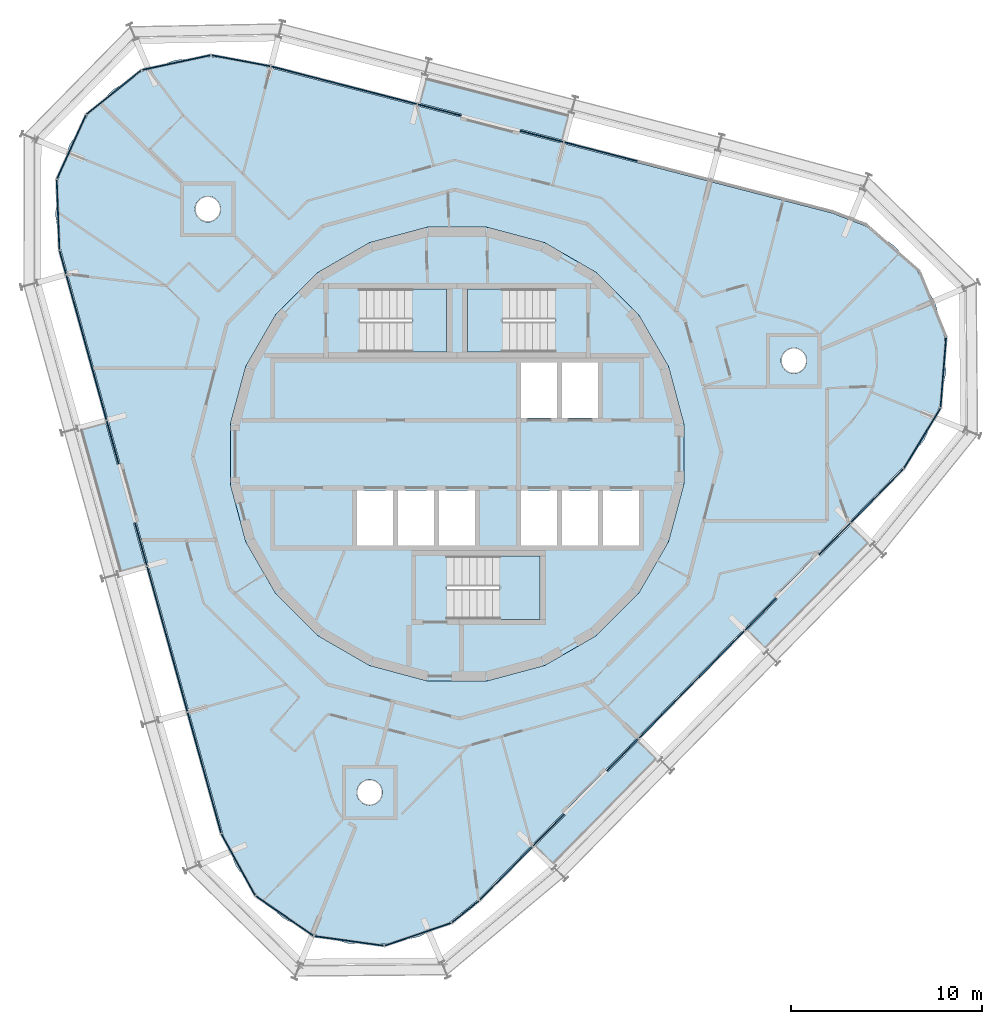
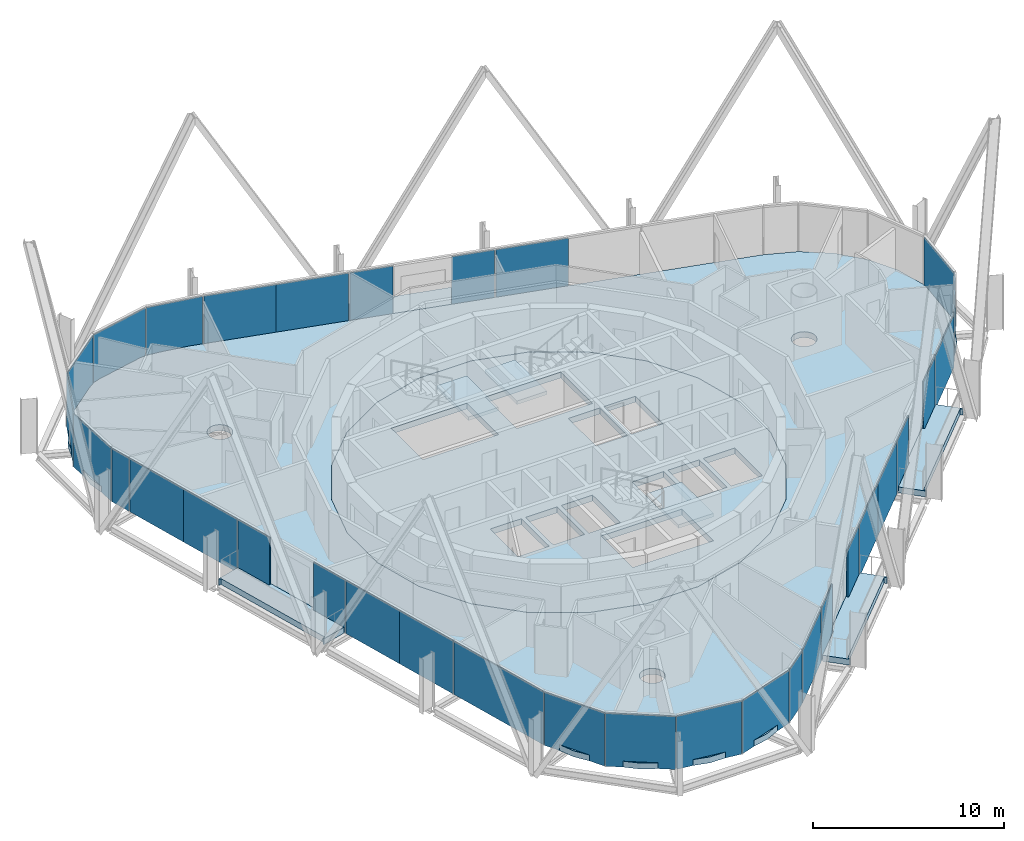
# One storey, part 8 of 15: 33 plates, 9 slabs, 9 elements without a shape of their own.
"""IFC4 building model written with IfcOpenShell, lengths in metres."""

import ifcopenshell
import ifcopenshell.guid

model = None  # the IFC model being written
_history = None  # IfcOwnerHistory: only IFC2X3 demands one
_inside = {}  # id of a spatial element -> (the spatial element, [elements in it])
_under = {}  # id of a project, library or spatial element -> (it, [spatial elements below it])
_declared = {}  # id of a project -> (the project, [libraries it declares])
_typed = {}  # id of a type object -> (the type object, [elements of that type])
_made_of = {}  # id of a material, layer set ... -> (it, [elements and type objects made of it])


def new_model(schema):
    """Start an empty IFC model of exactly this schema.

    Asked for "IFC4X3", IfcOpenShell would pick the latest addendum, in which some entities
    have other attributes; the version numbers below select the first issue.
    IFC2X3 requires an IfcOwnerHistory on every rooted entity: one is made here for all.
    """
    global model, _history
    if schema == "IFC4X3":
        model = ifcopenshell.file(schema_version=(4, 3, 0, 0))
    else:
        model = ifcopenshell.file(schema=schema)
    _inside.clear()
    _under.clear()
    _declared.clear()
    _typed.clear()
    _made_of.clear()
    _history = None
    if model.schema == "IFC2X3":
        org = make("IfcOrganization", Name="unknown")
        user = make(
            "IfcPersonAndOrganization",
            ThePerson=make("IfcPerson", FamilyName="unknown"),
            TheOrganization=org,
        )
        app = make(
            "IfcApplication",
            ApplicationDeveloper=org,
            Version="unknown",
            ApplicationFullName="unknown",
            ApplicationIdentifier="unknown",
        )
        _history = make(
            "IfcOwnerHistory",
            OwningUser=user,
            OwningApplication=app,
            ChangeAction="ADDED",
            CreationDate=0,
        )
    return model


def make(cls, **values):
    """One entity of the class cls with the attributes given. An attribute that is None is left unset."""
    return model.create_entity(
        cls, **{name: value for name, value in values.items() if value is not None}
    )


def rooted(cls, **values):
    """An entity with a GlobalId (a new one), such as an element, a storey or a relation."""
    return make(cls, GlobalId=ifcopenshell.guid.new(), OwnerHistory=_history, **values)


def si_unit(unit_type, name, prefix=None):
    """IfcSIUnit, for example si_unit("LENGTHUNIT", "METRE", prefix="MILLI")."""
    return make("IfcSIUnit", UnitType=unit_type, Prefix=prefix, Name=name)


def assignment(units):
    """IfcUnitAssignment: the units of a project."""
    return None if units is None else make("IfcUnitAssignment", Units=units)


def point(xyz):
    """IfcCartesianPoint."""
    return None if xyz is None else make("IfcCartesianPoint", Coordinates=xyz)


def direction(xyz):
    """IfcDirection."""
    return None if xyz is None else make("IfcDirection", DirectionRatios=xyz)


def frame(location, z_axis=None, x_axis=None):
    """IfcAxis2Placement3D, a coordinate frame: its origin and axes. An axis left out is left unset."""
    return make(
        "IfcAxis2Placement3D",
        Location=point(location),
        Axis=direction(z_axis),
        RefDirection=direction(x_axis),
    )


def frame_2d(location, x_axis=None):
    """IfcAxis2Placement2D, a coordinate frame in the plane: its origin and x axis."""
    return make(
        "IfcAxis2Placement2D", Location=point(location), RefDirection=direction(x_axis)
    )


def origin():
    """The frame at (0, 0, 0) with its axes left unset."""
    return frame((0.0, 0.0, 0.0))


def origin_2d():
    """The frame at (0, 0) in the plane with its x axis left unset."""
    return frame_2d((0.0, 0.0))


def place(relative_to, where):
    """IfcLocalPlacement: puts the frame where relative to a parent placement (None: the world)."""
    return make(
        "IfcLocalPlacement", PlacementRelTo=relative_to, RelativePlacement=where
    )


def context(
    kind, dimensions, precision=None, world=None, true_north=None, identifier=None
):
    """IfcGeometricRepresentationContext, for example the 3D "Model" context."""
    return make(
        "IfcGeometricRepresentationContext",
        ContextIdentifier=identifier,
        ContextType=kind,
        CoordinateSpaceDimension=dimensions,
        Precision=precision,
        WorldCoordinateSystem=world,
        TrueNorth=true_north,
    )


def subcontext(parent, identifier, kind, view, scale=None):
    """IfcGeometricRepresentationSubContext, for example "Body" below "Model"."""
    return make(
        "IfcGeometricRepresentationSubContext",
        ContextIdentifier=identifier,
        ContextType=kind,
        ParentContext=parent,
        TargetScale=scale,
        TargetView=view,
    )


def project(units=None, contexts=None):
    """IfcProject with its units and contexts."""
    return rooted(
        "IfcProject",
        Name="project",
        RepresentationContexts=contexts,
        UnitsInContext=assignment(units),
    )


def spatial(cls, under=None, at=None, **own):
    """A site, building, storey or space (cls), placed at a placement, below another one or the project."""
    s = rooted(cls, ObjectPlacement=at, **own)
    if under is not None:
        _under.setdefault(under.id(), (under, []))[1].append(s)
    return s


def polyline(points):
    """IfcPolyline through the points."""
    return make("IfcPolyline", Points=[point(p) for p in points])


def profile(cls, at=None, kind="AREA", **sizes):
    """A parametric profile (cls). Its sizes go by their IFC names, for example OverallWidth=200.0."""
    return make(cls, ProfileType=kind, Position=at, **sizes)


def rectangle(**sizes):
    """IfcRectangleProfileDef."""
    return profile("IfcRectangleProfileDef", **sizes)


def outline(outer, holes=None, kind="AREA"):
    """IfcArbitraryClosedProfileDef: a profile drawn as a closed curve; with holes, ...WithVoids."""
    if holes is None:
        return make("IfcArbitraryClosedProfileDef", ProfileType=kind, OuterCurve=outer)
    return make(
        "IfcArbitraryProfileDefWithVoids",
        ProfileType=kind,
        OuterCurve=outer,
        InnerCurves=holes,
    )


def extrude(swept, where, along, depth):
    """IfcExtrudedAreaSolid: the profile swept, set in the frame where, extruded along a direction by depth."""
    return make(
        "IfcExtrudedAreaSolid",
        SweptArea=swept,
        Position=where,
        ExtrudedDirection=direction(along),
        Depth=depth,
    )


def shape(context_of_items, identifier, shape_type, items):
    """IfcShapeRepresentation: the items that make up one representation, for example the "Body"."""
    return make(
        "IfcShapeRepresentation",
        ContextOfItems=context_of_items,
        RepresentationIdentifier=identifier,
        RepresentationType=shape_type,
        Items=items,
    )


def material(Name=None, Category=None):
    """IfcMaterial."""
    return make("IfcMaterial", Name=Name, Category=Category)


def layer(
    of_material, thickness, ventilated=None, Name=None, Category=None, Priority=None
):
    """IfcMaterialLayer: one layer of a wall or slab, of a material (None: an air gap)."""
    return make(
        "IfcMaterialLayer",
        Material=of_material,
        LayerThickness=thickness,
        IsVentilated=ventilated,
        Name=Name,
        Category=Category,
        Priority=Priority,
    )


def layer_set(layers, Name=None):
    """IfcMaterialLayerSet."""
    return make("IfcMaterialLayerSet", MaterialLayers=layers, LayerSetName=Name)


def made_of(thing, what):
    """Note that an element or type object is made of a material, layer set ...; save() writes the relation."""
    if what is not None:
        _made_of.setdefault(what.id(), (what, []))[1].append(thing)
    return thing


def type_object(cls, material=None, **own):
    """A type object (cls), such as IfcWallType, which elements share."""
    return made_of(rooted(cls, **own), material)


def element(
    cls,
    number,
    at=None,
    inside=None,
    cuts=None,
    type_object=None,
    material=None,
    context=None,
    identifier="Body",
    shape_type=None,
    held_by="IfcProductDefinitionShape",
    body=None,
    shapes=None,
    **own,
):
    """One element of the class cls, such as IfcWall. Its Tag is "e" and its number.

    at: its placement. inside: the storey or other place that contains it. cuts: it is an
    opening in that element (IfcRelVoidsElement). A single representation is given by context,
    identifier, shape_type and body (its items); several are given by shapes. held_by: the class
    of the entity that holds the representations. save() writes the other relations.
    """
    e = rooted(cls, Tag="e%d" % number, ObjectPlacement=at, **own)
    if body is not None:
        shapes = [shape(context, identifier, shape_type, body)]
    if shapes is not None:
        e.Representation = make(held_by, Representations=shapes)
    if inside is not None:
        _inside.setdefault(inside.id(), (inside, []))[1].append(e)
    if cuts is not None:
        rooted(
            "IfcRelVoidsElement", RelatingBuildingElement=cuts, RelatedOpeningElement=e
        )
    if type_object is not None:
        _typed.setdefault(type_object.id(), (type_object, []))[1].append(e)
    return made_of(e, material)


def aggregate(whole, parts):
    """IfcRelAggregates: a whole, such as a stair, and the parts it consists of."""
    return rooted("IfcRelAggregates", RelatingObject=whole, RelatedObjects=parts)


def save(model, path):
    """Write the relations noted so far, then the file.

    IfcRelAggregates (storeys below a building ...), IfcRelContainedInSpatialStructure (elements
    in a storey), IfcRelDefinesByType, IfcRelAssociatesMaterial and IfcRelDeclares: one each for
    every whole, place, type object, material and project.
    """
    for whole, parts in _under.values():
        aggregate(whole, parts)
    for where, things in _inside.values():
        rooted(
            "IfcRelContainedInSpatialStructure",
            RelatedElements=things,
            RelatingStructure=where,
        )
    for kind, things in _typed.values():
        rooted("IfcRelDefinesByType", RelatedObjects=things, RelatingType=kind)
    for what, things in _made_of.values():
        rooted("IfcRelAssociatesMaterial", RelatedObjects=things, RelatingMaterial=what)
    for by, libraries in _declared.values():
        rooted("IfcRelDeclares", RelatingContext=by, RelatedDefinitions=libraries)
    model.write(path)


model = new_model("IFC4")

# Units and contexts
model_context = context("Model", 3, precision=1e-05, world=origin(), true_north=direction((0.0, 1.0)))
body_context = subcontext(model_context, "Body", "Model", "MODEL_VIEW")
ifc_project = project(units=[si_unit("LENGTHUNIT", "METRE"), si_unit("AREAUNIT", "SQUARE_METRE"), si_unit("VOLUMEUNIT", "CUBIC_METRE"), si_unit("PLANEANGLEUNIT", "RADIAN"), si_unit("MASSUNIT", "GRAM", prefix="KILO")], contexts=[model_context])

# Site, building, storey
site_placement = place(None, origin())
site = spatial("IfcSite", under=ifc_project, at=site_placement, CompositionType="ELEMENT")
building_placement = place(site_placement, origin())
building = spatial("IfcBuilding", under=site, at=building_placement, Name="Spindle Arch Residences", CompositionType="ELEMENT")
storey_placement = place(building_placement, frame((0.0, 0.0, 312.199951171875)))
storey = spatial("IfcBuildingStorey", under=building, at=storey_placement, Name="L80", CompositionType="ELEMENT", Elevation=312.199951171875)

# Slabs
ifc_material_1 = material(Name="Concrete C40/50", Category="concrete")
ifc_layer_1 = layer(ifc_material_1, 0.3798828125)
ifc_layer_set_1 = layer_set([ifc_layer_1], Name="Balcony slab 380")
slab_type_1 = type_object("IfcSlabType", Name="Balcony slab 380", PredefinedType="FLOOR", material=ifc_layer_set_1)
slab_1_placement = place(storey_placement, frame((0.0, 0.0, -0.3798828125)))
element("IfcSlab", 1, at=slab_1_placement, inside=storey, type_object=slab_type_1, Name="Balcony L80 bay 1", PredefinedType="FLOOR", context=body_context, shape_type="SweptSolid", body=[
    extrude(outline(polyline([(16.2529296875, -10.303955078125), (16.3056640625, -10.25048828125), (16.198486328125, -10.145263671875), (21.550048828125, -4.69970703125), (21.656982421875, -4.8046875), (21.709716796875, -4.751220703125), (20.64697265625, -3.70703125), (19.0400390625, -5.342041015625), (18.926025390625, -5.22998046875), (16.68310546875, -7.512451171875), (16.797119140625, -7.62451171875), (15.190185546875, -9.259521484375), (16.2529296875, -10.303955078125)])), origin(), (0.0, 0.0, 1.0), 0.3798828125),
])
slab_2_placement = place(storey_placement, frame((0.0, 0.0, -0.3798828125)))
element("IfcSlab", 2, at=slab_2_placement, inside=storey, type_object=slab_type_1, Name="Balcony L80 bay 7", PredefinedType="FLOOR", context=body_context, shape_type="SweptSolid", body=[
    extrude(outline(polyline([(5.918701171875, 17.903076171875), (5.845947265625, 17.921875), (5.808349609375, 17.776611328125), (-1.58349609375, 19.688232421875), (-1.5458984375, 19.83349609375), (-1.618408203125, 19.852294921875), (-1.99169921875, 18.40966796875), (0.22802734375, 17.835693359375), (0.187744140625, 17.6806640625), (3.285888671875, 16.879638671875), (3.325927734375, 17.034423828125), (5.54541015625, 16.46044921875), (5.918701171875, 17.903076171875)])), origin(), (0.0, 0.0, 1.0), 0.3798828125),
])
slab_3_placement = place(storey_placement, frame((0.0, 0.0, -0.3798828125)))
element("IfcSlab", 3, at=slab_3_placement, inside=storey, type_object=slab_type_1, Name="Balcony L80 bay 13", PredefinedType="FLOOR", context=body_context, shape_type="SweptSolid", body=[
    extrude(outline(polyline([(-19.87744140625, 1.271728515625), (-19.857421875, 1.199462890625), (-19.712890625, 1.23974609375), (-17.67236328125, -6.11767578125), (-17.81689453125, -6.157958984375), (-17.796875, -6.230224609375), (-16.361083984375, -5.83203125), (-16.973876953125, -3.622802734375), (-16.819580078125, -3.580078125), (-17.6748046875, -0.496337890625), (-17.828857421875, -0.5390625), (-18.441650390625, 1.669921875), (-19.87744140625, 1.271728515625)])), origin(), (0.0, 0.0, 1.0), 0.3798828125),
])
slab_4_placement = place(storey_placement, frame((0.0, 0.0, -0.3798828125)))
element("IfcSlab", 4, at=slab_4_placement, inside=storey, type_object=slab_type_1, Name="Balcony L80 bay 19", PredefinedType="FLOOR", context=body_context, shape_type="SweptSolid", body=[
    extrude(outline(polyline([(5.12939453125, -21.623291015625), (5.18212890625, -21.56982421875), (5.074951171875, -21.46484375), (10.426513671875, -16.01904296875), (10.533447265625, -16.124267578125), (10.586181640625, -16.07080078125), (9.5234375, -15.0263671875), (7.91650390625, -16.661376953125), (7.80224609375, -16.54931640625), (5.559326171875, -18.831787109375), (5.673583984375, -18.94384765625), (4.066650390625, -20.5791015625), (5.12939453125, -21.623291015625)])), origin(), (0.0, 0.0, 1.0), 0.3798828125),
])
ifc_material_2 = material(Name="Concrete C50/60", Category="concrete")
ifc_layer_2 = layer(ifc_material_2, 0.3798828125)
ifc_layer_set_2 = layer_set([ifc_layer_2], Name="Core floor slab 380")
slab_type_2 = type_object("IfcSlabType", Name="Core floor slab 380", PredefinedType="FLOOR", material=ifc_layer_set_2)
slab_5_placement = place(storey_placement, frame((0.0, 0.0, -0.3798828125)))
element("IfcSlab", 5, at=slab_5_placement, inside=storey, type_object=slab_type_2, Name="Core floor L80", PredefinedType="FLOOR", context=body_context, shape_type="SweptSolid", body=[
    extrude(outline(polyline([(1.56640625, -11.897216796875), (4.59228515625, -11.086669921875), (7.30517578125, -9.520263671875), (9.520263671875, -7.30517578125), (11.086669921875, -4.59228515625), (11.897216796875, -1.56640625), (11.897216796875, 1.56640625), (11.086669921875, 4.59228515625), (9.520263671875, 7.30517578125), (7.30517578125, 9.520263671875), (4.59228515625, 11.086669921875), (1.56640625, 11.897216796875), (-1.56640625, 11.897216796875), (-4.59228515625, 11.086669921875), (-7.30517578125, 9.520263671875), (-9.520263671875, 7.30517578125), (-11.086669921875, 4.59228515625), (-11.897216796875, 1.56640625), (-11.897216796875, -1.56640625), (-11.086669921875, -4.59228515625), (-9.520263671875, -7.30517578125), (-7.30517578125, -9.520263671875), (-4.59228515625, -11.086669921875), (-1.56640625, -11.897216796875), (1.56640625, -11.897216796875)]), holes=[polyline([(3.35009765625, 1.89990234375), (5.25, 1.89990234375), (5.25, 4.800048828125), (3.35009765625, 4.800048828125), (3.35009765625, 1.89990234375)]), polyline([(5.5, 1.89990234375), (7.39990234375, 1.89990234375), (7.39990234375, 4.800048828125), (5.5, 4.800048828125), (5.5, 1.89990234375)]), polyline([(-5.25, -4.800048828125), (-3.35009765625, -4.800048828125), (-3.35009765625, -1.89990234375), (-5.25, -1.89990234375), (-5.25, -4.800048828125)]), polyline([(-3.10009765625, -4.800048828125), (-1.199951171875, -4.800048828125), (-1.199951171875, -1.89990234375), (-3.10009765625, -1.89990234375), (-3.10009765625, -4.800048828125)]), polyline([(-0.949951171875, -4.800048828125), (0.949951171875, -4.800048828125), (0.949951171875, -1.89990234375), (-0.949951171875, -1.89990234375), (-0.949951171875, -4.800048828125)]), polyline([(3.35009765625, -4.800048828125), (5.25, -4.800048828125), (5.25, -1.89990234375), (3.35009765625, -1.89990234375), (3.35009765625, -4.800048828125)]), polyline([(5.5, -4.800048828125), (7.39990234375, -4.800048828125), (7.39990234375, -1.89990234375), (5.5, -1.89990234375), (5.5, -4.800048828125)]), polyline([(7.64990234375, -4.800048828125), (9.550048828125, -4.800048828125), (9.550048828125, -1.89990234375), (7.64990234375, -1.89990234375), (7.64990234375, -4.800048828125)]), polyline([(5.1298828125, 8.669921875), (0.550048828125, 8.669921875), (0.550048828125, 5.35009765625), (5.1298828125, 5.35009765625), (5.1298828125, 8.669921875)]), polyline([(-5.1298828125, 5.35009765625), (-0.550048828125, 5.35009765625), (-0.550048828125, 8.669921875), (-5.1298828125, 8.669921875), (-5.1298828125, 5.35009765625)]), polyline([(-0.530029296875, -8.669921875), (4.35009765625, -8.669921875), (4.35009765625, -5.35009765625), (-0.530029296875, -5.35009765625), (-0.530029296875, -8.669921875)])]), origin(), (0.0, 0.0, 1.0), 0.3798828125),
])

# Stair, slab
ifc_material_3 = material(Name="Concrete C50/60", Category="concrete")
stair_type = type_object("IfcStairType", Name="Exit stair 16 risers", PredefinedType="HALF_TURN_STAIR", material=ifc_material_3)
stair_1_placement = place(storey_placement, origin())
stair_1 = element("IfcStair", 6, at=stair_1_placement, inside=storey, type_object=stair_type, Name="L80 Exit stair ST1", PredefinedType="HALF_TURN_STAIR")
ifc_material_4 = material(Name="Concrete C50/60", Category="concrete")
ifc_layer_3 = layer(ifc_material_4, 0.219970703125)
ifc_layer_set_3 = layer_set([ifc_layer_3], Name="Exit stair landing 220")
slab_type_3 = type_object("IfcSlabType", Name="Exit stair landing 220", PredefinedType="LANDING", material=ifc_layer_set_3)
slab_6_placement = place(storey_placement, frame((0.0, 0.0, 1.530029296875)))
slab_6 = element("IfcSlab", 7, at=slab_6_placement, type_object=slab_type_3, Name="ST1 landing 1", PredefinedType="LANDING", context=body_context, shape_type="SweptSolid", body=[
    extrude(outline(polyline([(2.3701171875, 8.669921875), (0.550048828125, 8.669921875), (0.550048828125, 5.35009765625), (2.3701171875, 5.35009765625), (2.3701171875, 8.669921875)])), origin(), (0.0, 0.0, 1.0), 0.219970703125),
])
aggregate(stair_1, [slab_6])

stair_2_placement = place(storey_placement, origin())
stair_2 = element("IfcStair", 8, at=stair_2_placement, inside=storey, type_object=stair_type, Name="L80 Exit stair ST2", PredefinedType="HALF_TURN_STAIR")
slab_7_placement = place(storey_placement, frame((0.0, 0.0, 1.530029296875)))
slab_7 = element("IfcSlab", 9, at=slab_7_placement, type_object=slab_type_3, Name="ST2 landing 1", PredefinedType="LANDING", context=body_context, shape_type="SweptSolid", body=[
    extrude(outline(polyline([(-2.3701171875, 5.35009765625), (-0.550048828125, 5.35009765625), (-0.550048828125, 8.669921875), (-2.3701171875, 8.669921875), (-2.3701171875, 5.35009765625)])), origin(), (0.0, 0.0, 1.0), 0.219970703125),
])
aggregate(stair_2, [slab_7])

stair_3_placement = place(storey_placement, origin())
stair_3 = element("IfcStair", 10, at=stair_3_placement, inside=storey, type_object=stair_type, Name="L80 Exit stair ST3", PredefinedType="HALF_TURN_STAIR")
slab_8_placement = place(storey_placement, frame((0.0, 0.0, 1.530029296875)))
slab_8 = element("IfcSlab", 11, at=slab_8_placement, type_object=slab_type_3, Name="ST3 landing 1", PredefinedType="LANDING", context=body_context, shape_type="SweptSolid", body=[
    extrude(outline(polyline([(2.22998046875, -8.669921875), (4.35009765625, -8.669921875), (4.35009765625, -5.35009765625), (2.22998046875, -5.35009765625), (2.22998046875, -8.669921875)])), origin(), (0.0, 0.0, 1.0), 0.219970703125),
])
aggregate(stair_3, [slab_8])

# Slab
ifc_material_5 = material(Name="Concrete C40/50", Category="concrete")
ifc_layer_4 = layer(ifc_material_5, 0.3798828125)
ifc_layer_set_4 = layer_set([ifc_layer_4], Name="Floor slab 380")
slab_type_4 = type_object("IfcSlabType", Name="Floor slab 380", PredefinedType="FLOOR", material=ifc_layer_set_4)
slab_9_placement = place(storey_placement, frame((0.0, 0.0, -0.3798828125)))
element("IfcSlab", 12, at=slab_9_placement, inside=storey, type_object=slab_type_4, Name="Floor slab L80", PredefinedType="FLOOR", context=body_context, shape_type="SweptSolid", body=[
    extrude(outline(polyline([(-0.330078125, -24.517333984375), (-2.006591796875, -25.317138671875), (-3.822509765625, -25.70849609375), (-5.6796875, -25.6708984375), (-7.477783203125, -25.205810546875), (-9.12060546875, -24.33837890625), (-10.518798828125, -23.11572265625), (-11.597412109375, -21.603515625), (-12.29833984375, -19.88330078125), (-20.782470703125, 10.709228515625), (-21.067626953125, 12.544677734375), (-20.921875, 14.396484375), (-20.35302734375, 16.164794921875), (-19.3916015625, 17.754150390625), (-18.08984375, 19.078857421875), (-16.517333984375, 20.06787109375), (-14.759521484375, 20.66748046875), (-12.910400390625, 20.845458984375), (-11.0703125, 20.59228515625), (19.665771484375, 12.6435546875), (21.397705078125, 11.972900390625), (22.9287109375, 10.920654296875), (24.175537109375, 9.5439453125), (25.0712890625, 7.916748046875), (25.567626953125, 6.126708984375), (25.637939453125, 4.2705078125), (25.2783203125, 2.4482421875), (24.5078125, 0.758056640625), (23.36865234375, -0.708984375), (12.24267578125, -12.03076171875), (1.11669921875, -23.352783203125), (-0.330078125, -24.517333984375)]), holes=[polyline([(7.30517578125, -9.520263671875), (9.520263671875, -7.30517578125), (11.086669921875, -4.59228515625), (11.897216796875, -1.56640625), (11.897216796875, 1.56640625), (11.086669921875, 4.59228515625), (9.520263671875, 7.30517578125), (7.30517578125, 9.520263671875), (4.59228515625, 11.086669921875), (1.56640625, 11.897216796875), (-1.56640625, 11.897216796875), (-4.59228515625, 11.086669921875), (-7.30517578125, 9.520263671875), (-9.520263671875, 7.30517578125), (-11.086669921875, 4.59228515625), (-11.897216796875, 1.56640625), (-11.897216796875, -1.56640625), (-11.086669921875, -4.59228515625), (-9.520263671875, -7.30517578125), (-7.30517578125, -9.520263671875), (-4.59228515625, -11.086669921875), (-1.56640625, -11.897216796875), (1.56640625, -11.897216796875), (4.59228515625, -11.086669921875), (7.30517578125, -9.520263671875)]), polyline([(-4.028076171875, -18.120361328125), (-3.9658203125, -18.003662109375), (-3.92724609375, -17.877197265625), (-3.914306640625, -17.745361328125), (-3.92724609375, -17.61376953125), (-3.9658203125, -17.487060546875), (-4.028076171875, -17.370361328125), (-4.112060546875, -17.26806640625), (-4.21435546875, -17.18408203125), (-4.3310546875, -17.121826171875), (-4.45751953125, -17.08349609375), (-4.58935546875, -17.0703125), (-4.720947265625, -17.08349609375), (-4.84765625, -17.121826171875), (-4.96435546875, -17.18408203125), (-5.066650390625, -17.26806640625), (-5.150390625, -17.370361328125), (-5.212890625, -17.487060546875), (-5.251220703125, -17.61376953125), (-5.264404296875, -17.745361328125), (-5.251220703125, -17.877197265625), (-5.212890625, -18.003662109375), (-5.150390625, -18.120361328125), (-5.066650390625, -18.22265625), (-4.96435546875, -18.306640625), (-4.84765625, -18.368896484375), (-4.720947265625, -18.407470703125), (-4.58935546875, -18.42041015625), (-4.45751953125, -18.407470703125), (-4.3310546875, -18.368896484375), (-4.21435546875, -18.306640625), (-4.112060546875, -18.22265625), (-4.028076171875, -18.120361328125)]), polyline([(-12.595947265625, 12.369873046875), (-12.51220703125, 12.47216796875), (-12.44970703125, 12.5888671875), (-12.411376953125, 12.71533203125), (-12.398193359375, 12.84716796875), (-12.411376953125, 12.978759765625), (-12.44970703125, 13.10546875), (-12.51220703125, 13.22216796875), (-12.595947265625, 13.324462890625), (-12.6982421875, 13.408203125), (-12.81494140625, 13.470703125), (-12.941650390625, 13.509033203125), (-13.0732421875, 13.522216796875), (-13.205078125, 13.509033203125), (-13.33154296875, 13.470703125), (-13.4482421875, 13.408203125), (-13.550537109375, 13.324462890625), (-13.634521484375, 13.22216796875), (-13.697021484375, 13.10546875), (-13.7353515625, 12.978759765625), (-13.748291015625, 12.84716796875), (-13.7353515625, 12.71533203125), (-13.697021484375, 12.5888671875), (-13.634521484375, 12.47216796875), (-13.550537109375, 12.369873046875), (-13.4482421875, 12.285888671875), (-13.33154296875, 12.223388671875), (-13.205078125, 12.18505859375), (-13.0732421875, 12.172119140625), (-12.941650390625, 12.18505859375), (-12.81494140625, 12.223388671875), (-12.6982421875, 12.285888671875), (-12.595947265625, 12.369873046875)]), polyline([(18.139892578125, 4.4208984375), (18.223876953125, 4.523193359375), (18.2861328125, 4.639892578125), (18.32470703125, 4.7666015625), (18.337646484375, 4.898193359375), (18.32470703125, 5.030029296875), (18.2861328125, 5.156494140625), (18.223876953125, 5.273193359375), (18.139892578125, 5.37548828125), (18.03759765625, 5.45947265625), (17.9208984375, 5.52197265625), (17.794189453125, 5.560302734375), (17.66259765625, 5.5732421875), (17.531005859375, 5.560302734375), (17.404296875, 5.52197265625), (17.28759765625, 5.45947265625), (17.185302734375, 5.37548828125), (17.101318359375, 5.273193359375), (17.0390625, 5.156494140625), (17.00048828125, 5.030029296875), (16.987548828125, 4.898193359375), (17.00048828125, 4.7666015625), (17.0390625, 4.639892578125), (17.101318359375, 4.523193359375), (17.185302734375, 4.4208984375), (17.28759765625, 4.337158203125), (17.404296875, 4.274658203125), (17.531005859375, 4.236328125), (17.66259765625, 4.223388671875), (17.794189453125, 4.236328125), (17.9208984375, 4.274658203125), (18.03759765625, 4.337158203125), (18.139892578125, 4.4208984375)])]), origin(), (0.0, 0.0, 1.0), 0.3798828125),
])

# Curtain wall, plates
ifc_material_6 = material(Name="Aluminium bronze unitised frame with tinted glass", Category="aluminium")
ifc_layer_5 = layer(ifc_material_6, 0.159912109375)
ifc_layer_set_5 = layer_set([ifc_layer_5], Name="CW-D corner wall on the fillet arcs")
curtain_wall_type_1 = type_object("IfcCurtainWallType", Name="CW-D corner wall on the fillet arcs", PredefinedType="NOTDEFINED", material=ifc_layer_set_5)
curtain_wall_1_placement = place(storey_placement, origin())
curtain_wall_1 = element("IfcCurtainWall", 13, at=curtain_wall_1_placement, inside=storey, type_object=curtain_wall_type_1, Name="CW-D L80 run 1", PredefinedType="NOTDEFINED")
ifc_material_7 = material(Name="Tinted double glazing over aluminium faced non-combustible spandrel zone (K0)", Category="aluminium")
ifc_layer_6 = layer(ifc_material_7, 0.06005859375)
ifc_layer_set_6 = layer_set([ifc_layer_6], Name="Unitised glass panel with E 60 spandrel zone")
plate_type = type_object("IfcPlateType", Name="Unitised glass panel with E 60 spandrel zone", PredefinedType="CURTAIN_PANEL", material=ifc_layer_set_6)
plate_1_placement = place(storey_placement, frame((22.033935546875, -2.18115234375, -0.3798828125), z_axis=(0.0, 0.0, 1.0), x_axis=(0.7009092643, 0.713250449154, 0.0)))
plate_1 = element("IfcPlate", 14, at=plate_1_placement, type_object=plate_type, Name="CW-D unit 00", PredefinedType="CURTAIN_PANEL", context=body_context, shape_type="SweptSolid", body=[
    extrude(rectangle(XDim=3.910888671875, YDim=0.06005859375, at=origin_2d()), origin(), (0.0, 0.0, 1.0), 3.3798828125),
])
plate_2_placement = place(storey_placement, frame((24.39013671875, 0.829345703125, -0.3798828125), z_axis=(0.0, 0.0, 1.0), x_axis=(0.517529288252, 0.855665492936, 0.0)))
plate_2 = element("IfcPlate", 15, at=plate_2_placement, type_object=plate_type, Name="CW-D unit 01", PredefinedType="CURTAIN_PANEL", context=body_context, shape_type="SweptSolid", body=[
    extrude(rectangle(XDim=3.666748046875, YDim=0.06005859375, at=origin_2d()), origin(), (0.0, 0.0, 1.0), 3.3798828125),
])
plate_3_placement = place(storey_placement, frame((25.50048828125, 4.281494140625, -0.3798828125), z_axis=(0.0, 0.0, 1.0), x_axis=(0.078459091935, 0.996917334032, 0.0)))
plate_3 = element("IfcPlate", 16, at=plate_3_placement, type_object=plate_type, Name="CW-D unit 02", PredefinedType="CURTAIN_PANEL", context=body_context, shape_type="SweptSolid", body=[
    extrude(rectangle(XDim=3.666748046875, YDim=0.06005859375, at=origin_2d()), origin(), (0.0, 0.0, 1.0), 3.3798828125),
])
aggregate(curtain_wall_1, [plate_1, plate_2, plate_3])

ifc_material_8 = material(Name="Aluminium bronze unitised frame with tinted glass", Category="aluminium")
ifc_layer_7 = layer(ifc_material_8, 0.159912109375)
ifc_layer_set_7 = layer_set([ifc_layer_7], Name="CW-C typical residential unitised wall")
curtain_wall_type_2 = type_object("IfcCurtainWallType", Name="CW-C typical residential unitised wall", PredefinedType="NOTDEFINED", material=ifc_layer_set_7)
curtain_wall_2_placement = place(storey_placement, origin())
curtain_wall_2 = element("IfcCurtainWall", 17, at=curtain_wall_2_placement, inside=storey, type_object=curtain_wall_type_2, Name="CW-C L80 run 2", PredefinedType="NOTDEFINED")
plate_4_placement = place(storey_placement, frame((7.533203125, 15.86376953125, -0.3798828125), z_axis=(0.0, 0.0, 1.0), x_axis=(-0.968147640378, 0.250380004054, 0.0)))
plate_4 = element("IfcPlate", 18, at=plate_4_placement, type_object=plate_type, Name="CW-C unit 05B", PredefinedType="CURTAIN_PANEL", context=body_context, shape_type="SweptSolid", body=[
    extrude(rectangle(XDim=3.9375, YDim=0.06005859375, at=origin_2d()), origin(), (0.0, 0.0, 1.0), 3.3798828125),
])
plate_5_placement = place(storey_placement, frame((4.4375, 16.664306640625, -0.3798828125), z_axis=(0.0, 0.0, 1.0), x_axis=(-0.968147640378, 0.250380004054, 0.0)))
plate_5 = element("IfcPlate", 19, at=plate_5_placement, type_object=plate_type, Name="CW-C unit 06L", PredefinedType="CURTAIN_PANEL", context=body_context, shape_type="SweptSolid", body=[
    extrude(rectangle(XDim=2.337646484375, YDim=0.06005859375, at=origin_2d()), origin(), (0.0, 0.0, 1.0), 3.3798828125),
])
plate_6_placement = place(storey_placement, frame((-0.923583984375, 18.05078125, -0.3798828125), z_axis=(0.0, 0.0, 1.0), x_axis=(-0.968147640378, 0.250380004054, 0.0)))
plate_6 = element("IfcPlate", 20, at=plate_6_placement, type_object=plate_type, Name="CW-C unit 06R", PredefinedType="CURTAIN_PANEL", context=body_context, shape_type="SweptSolid", body=[
    extrude(rectangle(XDim=2.337646484375, YDim=0.06005859375, at=origin_2d()), origin(), (0.0, 0.0, 1.0), 3.3798828125),
])
plate_7_placement = place(storey_placement, frame((-4.019287109375, 18.8515625, -0.3798828125), z_axis=(0.0, 0.0, 1.0), x_axis=(-0.968147640378, 0.250380004054, 0.0)))
plate_7 = element("IfcPlate", 21, at=plate_7_placement, type_object=plate_type, Name="CW-C unit 07A", PredefinedType="CURTAIN_PANEL", context=body_context, shape_type="SweptSolid", body=[
    extrude(rectangle(XDim=3.9375, YDim=0.06005859375, at=origin_2d()), origin(), (0.0, 0.0, 1.0), 3.3798828125),
])
plate_8_placement = place(storey_placement, frame((-7.83154296875, 19.83740234375, -0.3798828125), z_axis=(0.0, 0.0, 1.0), x_axis=(-0.968147640378, 0.250380004054, 0.0)))
plate_8 = element("IfcPlate", 22, at=plate_8_placement, type_object=plate_type, Name="CW-C unit 07B", PredefinedType="CURTAIN_PANEL", context=body_context, shape_type="SweptSolid", body=[
    extrude(rectangle(XDim=3.9375, YDim=0.06005859375, at=origin_2d()), origin(), (0.0, 0.0, 1.0), 3.3798828125),
])
aggregate(curtain_wall_2, [plate_4, plate_5, plate_6, plate_7, plate_8])

curtain_wall_3_placement = place(storey_placement, origin())
curtain_wall_3 = element("IfcCurtainWall", 23, at=curtain_wall_3_placement, inside=storey, type_object=curtain_wall_type_1, Name="CW-D L80 run 3", PredefinedType="NOTDEFINED")
plate_9_placement = place(storey_placement, frame((-11.337646484375, 20.631591796875, -0.3798828125), z_axis=(0.0, 0.0, 1.0), x_axis=(-0.98295670176, 0.183837217301, 0.0)))
plate_9 = element("IfcPlate", 24, at=plate_9_placement, type_object=plate_type, Name="CW-D unit 00", PredefinedType="CURTAIN_PANEL", context=body_context, shape_type="SweptSolid", body=[
    extrude(rectangle(XDim=3.13671875, YDim=0.06005859375, at=origin_2d()), origin(), (0.0, 0.0, 1.0), 3.3798828125),
])
plate_10_placement = place(storey_placement, frame((-14.73046875, 20.53271484375, -0.3798828125), z_axis=(0.0, 0.0, 1.0), x_axis=(-0.977538671364, -0.210756129184, 0.0)))
plate_10 = element("IfcPlate", 25, at=plate_10_placement, type_object=plate_type, Name="CW-D unit 01", PredefinedType="CURTAIN_PANEL", context=body_context, shape_type="SweptSolid", body=[
    extrude(rectangle(XDim=3.666748046875, YDim=0.06005859375, at=origin_2d()), origin(), (0.0, 0.0, 1.0), 3.3798828125),
])
plate_11_placement = place(storey_placement, frame((-18.00341796875, 18.9716796875, -0.3798828125), z_axis=(0.0, 0.0, 1.0), x_axis=(-0.778973288411, -0.627057107401, 0.0)))
plate_11 = element("IfcPlate", 26, at=plate_11_placement, type_object=plate_type, Name="CW-D unit 02", PredefinedType="CURTAIN_PANEL", context=body_context, shape_type="SweptSolid", body=[
    extrude(rectangle(XDim=3.666748046875, YDim=0.06005859375, at=origin_2d()), origin(), (0.0, 0.0, 1.0), 3.3798828125),
])
plate_12_placement = place(storey_placement, frame((-20.2275390625, 16.107421875, -0.3798828125), z_axis=(0.0, 0.0, 1.0), x_axis=(-0.414693245896, -0.9099612694, 0.0)))
plate_12 = element("IfcPlate", 27, at=plate_12_placement, type_object=plate_type, Name="CW-D unit 03", PredefinedType="CURTAIN_PANEL", context=body_context, shape_type="SweptSolid", body=[
    extrude(rectangle(XDim=3.666748046875, YDim=0.06005859375, at=origin_2d()), origin(), (0.0, 0.0, 1.0), 3.3798828125),
])
plate_13_placement = place(storey_placement, frame((-20.929931640625, 12.5498046875, -0.3798828125), z_axis=(0.0, 0.0, 1.0), x_axis=(0.037806455536, -0.999285080405, 0.0)))
plate_13 = element("IfcPlate", 28, at=plate_13_placement, type_object=plate_type, Name="CW-D unit 04", PredefinedType="CURTAIN_PANEL", context=body_context, shape_type="SweptSolid", body=[
    extrude(rectangle(XDim=3.666748046875, YDim=0.06005859375, at=origin_2d()), origin(), (0.0, 0.0, 1.0), 3.3798828125),
])
plate_14_placement = place(storey_placement, frame((-20.682373046875, 10.049072265625, -0.3798828125), z_axis=(0.0, 0.0, 1.0), x_axis=(0.267238376078, -0.963630453209, 0.0)))
plate_14 = element("IfcPlate", 29, at=plate_14_placement, type_object=plate_type, Name="CW-D unit 05", PredefinedType="CURTAIN_PANEL", context=body_context, shape_type="SweptSolid", body=[
    extrude(rectangle(XDim=1.265869140625, YDim=0.06005859375, at=origin_2d()), origin(), (0.0, 0.0, 1.0), 3.3798828125),
])
aggregate(curtain_wall_3, [plate_9, plate_10, plate_11, plate_12, plate_13, plate_14])

curtain_wall_4_placement = place(storey_placement, origin())
curtain_wall_4 = element("IfcCurtainWall", 30, at=curtain_wall_4_placement, inside=storey, type_object=curtain_wall_type_2, Name="CW-C L80 run 4", PredefinedType="NOTDEFINED")
plate_15_placement = place(storey_placement, frame((-19.970947265625, 7.484130859375, -0.3798828125), z_axis=(0.0, 0.0, 1.0), x_axis=(0.267238376078, -0.963630453209, 0.0)))
plate_15 = element("IfcPlate", 31, at=plate_15_placement, type_object=plate_type, Name="CW-C unit 11A", PredefinedType="CURTAIN_PANEL", context=body_context, shape_type="SweptSolid", body=[
    extrude(rectangle(XDim=3.9375, YDim=0.06005859375, at=origin_2d()), origin(), (0.0, 0.0, 1.0), 3.3798828125),
])
plate_16_placement = place(storey_placement, frame((-18.918701171875, 3.689697265625, -0.3798828125), z_axis=(0.0, 0.0, 1.0), x_axis=(0.267238376078, -0.963630453209, 0.0)))
plate_16 = element("IfcPlate", 32, at=plate_16_placement, type_object=plate_type, Name="CW-C unit 11B", PredefinedType="CURTAIN_PANEL", context=body_context, shape_type="SweptSolid", body=[
    extrude(rectangle(XDim=3.9375, YDim=0.06005859375, at=origin_2d()), origin(), (0.0, 0.0, 1.0), 3.3798828125),
])
plate_17_placement = place(storey_placement, frame((-18.064208984375, 0.6083984375, -0.3798828125), z_axis=(0.0, 0.0, 1.0), x_axis=(0.267238376078, -0.963630453209, 0.0)))
plate_17 = element("IfcPlate", 33, at=plate_17_placement, type_object=plate_type, Name="CW-C unit 12L", PredefinedType="CURTAIN_PANEL", context=body_context, shape_type="SweptSolid", body=[
    extrude(rectangle(XDim=2.337646484375, YDim=0.06005859375, at=origin_2d()), origin(), (0.0, 0.0, 1.0), 3.3798828125),
])
plate_18_placement = place(storey_placement, frame((-16.58447265625, -4.727783203125, -0.3798828125), z_axis=(0.0, 0.0, 1.0), x_axis=(0.267238376078, -0.963630453209, 0.0)))
plate_18 = element("IfcPlate", 34, at=plate_18_placement, type_object=plate_type, Name="CW-C unit 12R", PredefinedType="CURTAIN_PANEL", context=body_context, shape_type="SweptSolid", body=[
    extrude(rectangle(XDim=2.337646484375, YDim=0.06005859375, at=origin_2d()), origin(), (0.0, 0.0, 1.0), 3.3798828125),
])
plate_19_placement = place(storey_placement, frame((-15.72998046875, -7.808837890625, -0.3798828125), z_axis=(0.0, 0.0, 1.0), x_axis=(0.267238376078, -0.963630453209, 0.0)))
plate_19 = element("IfcPlate", 35, at=plate_19_placement, type_object=plate_type, Name="CW-C unit 13A", PredefinedType="CURTAIN_PANEL", context=body_context, shape_type="SweptSolid", body=[
    extrude(rectangle(XDim=3.9375, YDim=0.06005859375, at=origin_2d()), origin(), (0.0, 0.0, 1.0), 3.3798828125),
])
plate_20_placement = place(storey_placement, frame((-14.677490234375, -11.603271484375, -0.3798828125), z_axis=(0.0, 0.0, 1.0), x_axis=(0.267238376078, -0.963630453209, 0.0)))
plate_20 = element("IfcPlate", 36, at=plate_20_placement, type_object=plate_type, Name="CW-C unit 13B", PredefinedType="CURTAIN_PANEL", context=body_context, shape_type="SweptSolid", body=[
    extrude(rectangle(XDim=3.9375, YDim=0.06005859375, at=origin_2d()), origin(), (0.0, 0.0, 1.0), 3.3798828125),
])
aggregate(curtain_wall_4, [plate_15, plate_16, plate_17, plate_18, plate_19, plate_20])

curtain_wall_5_placement = place(storey_placement, origin())
curtain_wall_5 = element("IfcCurtainWall", 37, at=curtain_wall_5_placement, inside=storey, type_object=curtain_wall_type_1, Name="CW-D L80 run 5", PredefinedType="NOTDEFINED")
plate_21_placement = place(storey_placement, frame((-13.259521484375, -16.717041015625, -0.3798828125), z_axis=(0.0, 0.0, 1.0), x_axis=(0.267238376078, -0.963630453209, 0.0)))
plate_21 = element("IfcPlate", 38, at=plate_21_placement, type_object=plate_type, Name="CW-D unit 00", PredefinedType="CURTAIN_PANEL", context=body_context, shape_type="SweptSolid", body=[
    extrude(rectangle(XDim=6.555908203125, YDim=0.06005859375, at=origin_2d()), origin(), (0.0, 0.0, 1.0), 3.3798828125),
])
plate_22_placement = place(storey_placement, frame((-11.476806640625, -21.537109375, -0.3798828125), z_axis=(0.0, 0.0, 1.0), x_axis=(0.482263404731, -0.876026260142, 0.0)))
plate_22 = element("IfcPlate", 39, at=plate_22_placement, type_object=plate_type, Name="CW-D unit 01", PredefinedType="CURTAIN_PANEL", context=body_context, shape_type="SweptSolid", body=[
    extrude(rectangle(XDim=3.666748046875, YDim=0.06005859375, at=origin_2d()), origin(), (0.0, 0.0, 1.0), 3.3798828125),
])
plate_23_placement = place(storey_placement, frame((-9.04248046875, -24.224853515625, -0.3798828125), z_axis=(0.0, 0.0, 1.0), x_axis=(0.824126188573, -0.566406236997, 0.0)))
plate_23 = element("IfcPlate", 40, at=plate_23_placement, type_object=plate_type, Name="CW-D unit 02", PredefinedType="CURTAIN_PANEL", context=body_context, shape_type="SweptSolid", body=[
    extrude(rectangle(XDim=3.666748046875, YDim=0.06005859375, at=origin_2d()), origin(), (0.0, 0.0, 1.0), 3.3798828125),
])
plate_24_placement = place(storey_placement, frame((-5.660888671875, -25.5341796875, -0.3798828125), z_axis=(0.0, 0.0, 1.0), x_axis=(0.99066871764, -0.136291936259, 0.0)))
plate_24 = element("IfcPlate", 41, at=plate_24_placement, type_object=plate_type, Name="CW-D unit 03", PredefinedType="CURTAIN_PANEL", context=body_context, shape_type="SweptSolid", body=[
    extrude(rectangle(XDim=3.666748046875, YDim=0.06005859375, at=origin_2d()), origin(), (0.0, 0.0, 1.0), 3.3798828125),
])
plate_25_placement = place(storey_placement, frame((-2.05126953125, -25.186767578125, -0.3798828125), z_axis=(0.0, 0.0, 1.0), x_axis=(0.946461612616, 0.322816381002, 0.0)))
plate_25 = element("IfcPlate", 42, at=plate_25_placement, type_object=plate_type, Name="CW-D unit 04", PredefinedType="CURTAIN_PANEL", context=body_context, shape_type="SweptSolid", body=[
    extrude(rectangle(XDim=3.666748046875, YDim=0.06005859375, at=origin_2d()), origin(), (0.0, 0.0, 1.0), 3.3798828125),
])
plate_26_placement = place(storey_placement, frame((0.443115234375, -23.9970703125, -0.3798828125), z_axis=(0.0, 0.0, 1.0), x_axis=(0.778973292636, 0.627057102153, 0.0)))
plate_26 = element("IfcPlate", 43, at=plate_26_placement, type_object=plate_type, Name="CW-D unit 05", PredefinedType="CURTAIN_PANEL", context=body_context, shape_type="SweptSolid", body=[
    extrude(rectangle(XDim=1.816162109375, YDim=0.06005859375, at=origin_2d()), origin(), (0.0, 0.0, 1.0), 3.3798828125),
])
plate_27_placement = place(storey_placement, frame((2.5654296875, -21.99267578125, -0.3798828125), z_axis=(0.0, 0.0, 1.0), x_axis=(0.7009092643, 0.713250449154, 0.0)))
plate_27 = element("IfcPlate", 44, at=plate_27_placement, type_object=plate_type, Name="CW-D unit 06", PredefinedType="CURTAIN_PANEL", context=body_context, shape_type="SweptSolid", body=[
    extrude(rectangle(XDim=3.910888671875, YDim=0.06005859375, at=origin_2d()), origin(), (0.0, 0.0, 1.0), 3.3798828125),
])
aggregate(curtain_wall_5, [plate_21, plate_22, plate_23, plate_24, plate_25, plate_26, plate_27])

curtain_wall_6_placement = place(storey_placement, origin())
curtain_wall_6 = element("IfcCurtainWall", 45, at=curtain_wall_6_placement, inside=storey, type_object=curtain_wall_type_2, Name="CW-C L80 run 6", PredefinedType="NOTDEFINED")
plate_28_placement = place(storey_placement, frame((4.79736328125, -19.721435546875, -0.3798828125), z_axis=(0.0, 0.0, 1.0), x_axis=(0.7009092643, 0.713250449154, 0.0)))
plate_28 = element("IfcPlate", 46, at=plate_28_placement, type_object=plate_type, Name="CW-C unit 18L", PredefinedType="CURTAIN_PANEL", context=body_context, shape_type="SweptSolid", body=[
    extrude(rectangle(XDim=2.337646484375, YDim=0.06005859375, at=origin_2d()), origin(), (0.0, 0.0, 1.0), 3.3798828125),
])
plate_29_placement = place(storey_placement, frame((8.6787109375, -15.771728515625, -0.3798828125), z_axis=(0.0, 0.0, 1.0), x_axis=(0.7009092643, 0.713250449154, 0.0)))
plate_29 = element("IfcPlate", 47, at=plate_29_placement, type_object=plate_type, Name="CW-C unit 18R", PredefinedType="CURTAIN_PANEL", context=body_context, shape_type="SweptSolid", body=[
    extrude(rectangle(XDim=2.337646484375, YDim=0.06005859375, at=origin_2d()), origin(), (0.0, 0.0, 1.0), 3.3798828125),
])
plate_30_placement = place(storey_placement, frame((10.919921875, -13.4912109375, -0.3798828125), z_axis=(0.0, 0.0, 1.0), x_axis=(0.7009092643, 0.713250449154, 0.0)))
plate_30 = element("IfcPlate", 48, at=plate_30_placement, type_object=plate_type, Name="CW-C unit 19A", PredefinedType="CURTAIN_PANEL", context=body_context, shape_type="SweptSolid", body=[
    extrude(rectangle(XDim=3.9375, YDim=0.06005859375, at=origin_2d()), origin(), (0.0, 0.0, 1.0), 3.3798828125),
])
plate_31_placement = place(storey_placement, frame((13.6796875, -10.6826171875, -0.3798828125), z_axis=(0.0, 0.0, 1.0), x_axis=(0.7009092643, 0.713250449154, 0.0)))
plate_31 = element("IfcPlate", 49, at=plate_31_placement, type_object=plate_type, Name="CW-C unit 19B", PredefinedType="CURTAIN_PANEL", context=body_context, shape_type="SweptSolid", body=[
    extrude(rectangle(XDim=3.9375, YDim=0.06005859375, at=origin_2d()), origin(), (0.0, 0.0, 1.0), 3.3798828125),
])
plate_32_placement = place(storey_placement, frame((15.9208984375, -8.402099609375, -0.3798828125), z_axis=(0.0, 0.0, 1.0), x_axis=(0.7009092643, 0.713250449154, 0.0)))
plate_32 = element("IfcPlate", 50, at=plate_32_placement, type_object=plate_type, Name="CW-C unit 00L", PredefinedType="CURTAIN_PANEL", context=body_context, shape_type="SweptSolid", body=[
    extrude(rectangle(XDim=2.337646484375, YDim=0.06005859375, at=origin_2d()), origin(), (0.0, 0.0, 1.0), 3.3798828125),
])
plate_33_placement = place(storey_placement, frame((19.80224609375, -4.452392578125, -0.3798828125), z_axis=(0.0, 0.0, 1.0), x_axis=(0.7009092643, 0.713250449154, 0.0)))
plate_33 = element("IfcPlate", 51, at=plate_33_placement, type_object=plate_type, Name="CW-C unit 00R", PredefinedType="CURTAIN_PANEL", context=body_context, shape_type="SweptSolid", body=[
    extrude(rectangle(XDim=2.337646484375, YDim=0.06005859375, at=origin_2d()), origin(), (0.0, 0.0, 1.0), 3.3798828125),
])
aggregate(curtain_wall_6, [plate_28, plate_29, plate_30, plate_31, plate_32, plate_33])

save(model, "model.ifc")
